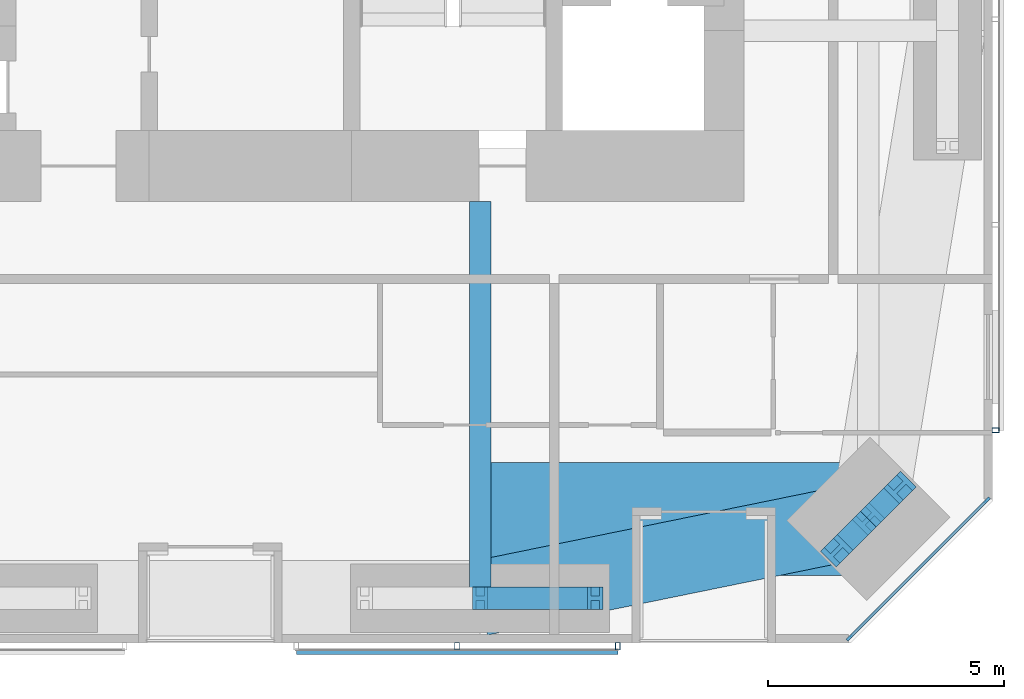
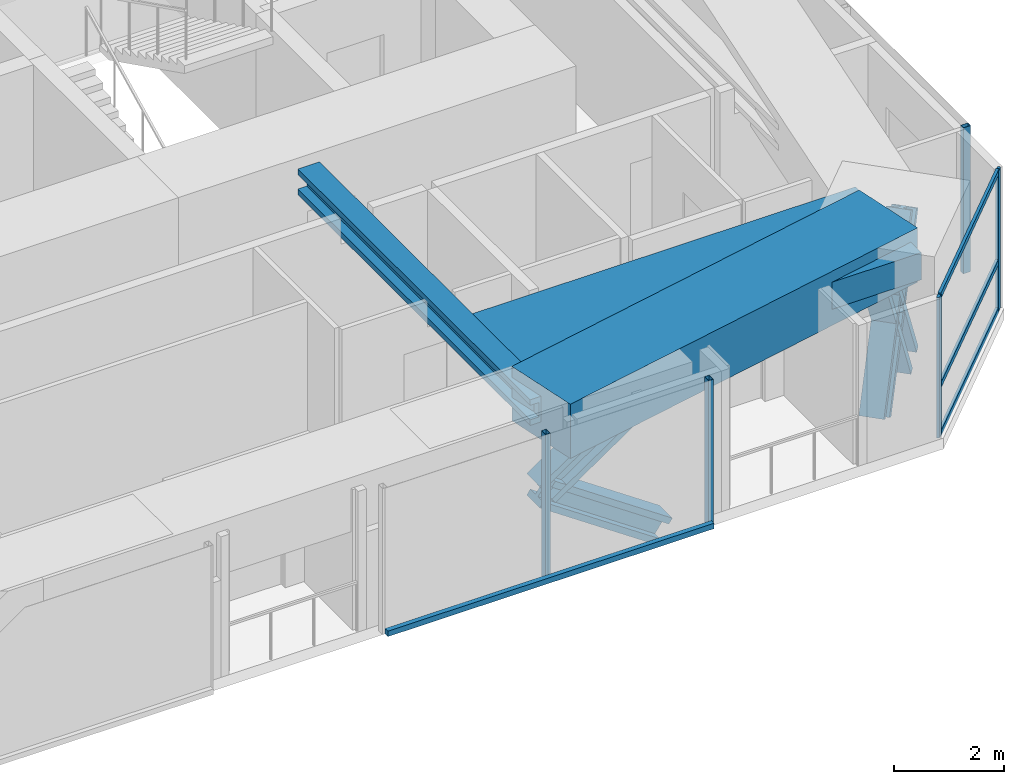
# One storey, part 8 of 24: 15 members, 3 beams, 3 elements without a shape of their own.
"""IFC4 building model written with IfcOpenShell, lengths in metres."""

from ifc_helpers import new_model, si_unit, direction, frame, origin, origin_2d, place, context, subcontext, project, spatial, rectangle, hollow_rectangle, i_section, extrude, material, material_profile, profile_set, type_object, element, aggregate, save


model = new_model("IFC4")

# Units and contexts
model_context = context("Model", 3, precision=1e-05, world=origin(), true_north=direction((0.0, 1.0)))
body_context = subcontext(model_context, "Body", "Model", "MODEL_VIEW")
ifc_project = project(units=[si_unit("LENGTHUNIT", "METRE"), si_unit("AREAUNIT", "SQUARE_METRE"), si_unit("VOLUMEUNIT", "CUBIC_METRE"), si_unit("PLANEANGLEUNIT", "RADIAN"), si_unit("MASSUNIT", "GRAM", prefix="KILO")], contexts=[model_context])

# Site, building, storey
site_placement = place(None, origin())
site = spatial("IfcSite", under=ifc_project, at=site_placement, CompositionType="ELEMENT")
building_placement = place(site_placement, origin())
building = spatial("IfcBuilding", under=site, at=building_placement, Name="Jalousie Tower", CompositionType="ELEMENT")
storey_placement = place(building_placement, frame((0.0, 0.0, 131.64990234375)))
storey = spatial("IfcBuildingStorey", under=building, at=storey_placement, Name="L36", CompositionType="ELEMENT", Elevation=131.64990234375)

# Curtain wall, members
ifc_material_1 = material(Name="Aluminium curtain wall", Category="aluminium")
curtain_wall_type_1 = type_object("IfcCurtainWallType", Name="CORNER WINDOW WALL", PredefinedType="USERDEFINED", material=ifc_material_1)
curtain_wall_1_placement = place(storey_placement, origin())
curtain_wall_1 = element("IfcCurtainWall", 1, at=curtain_wall_1_placement, inside=storey, type_object=curtain_wall_type_1, Name="Corner Window Wall L36 2", ObjectType="CORNER WINDOW WALL", PredefinedType="USERDEFINED")
ifc_material_2 = material(Name="Aluminium mullion", Category="aluminium")
ifc_material_profile_1 = material_profile(ifc_material_2, rectangle(XDim=0.06005859375, YDim=0.14990234375, at=origin_2d()), Name="MULLION 60x150")
ifc_profile_set_1 = profile_set([ifc_material_profile_1], Name="Aluminium mullion")
member_type_1 = type_object("IfcMemberType", Name="CORNER WINDOW WALL MULLION", PredefinedType="MULLION", material=ifc_profile_set_1)
member_1_placement = place(storey_placement, frame((46.469970703125, 0.108642578125, 0.0), z_axis=(0.0, 0.0, 1.0), x_axis=(-0.707106781187, 0.707106781187, 0.0)))
member_1 = element("IfcMember", 2, at=member_1_placement, type_object=member_type_1, Name="CW-C mullion 1", PredefinedType="MULLION", context=body_context, shape_type="SweptSolid", body=[
    extrude(rectangle(XDim=0.06005859375, YDim=0.14990234375, at=origin_2d()), origin(), (0.0, 0.0, 1.0), 3.110107421875),
])
member_2_placement = place(storey_placement, frame((49.391357421875, 3.030029296875, 0.0), z_axis=(0.0, 0.0, 1.0), x_axis=(-0.707106781187, 0.707106781187, 0.0)))
member_2 = element("IfcMember", 3, at=member_2_placement, type_object=member_type_1, Name="CW-C mullion 2", PredefinedType="MULLION", context=body_context, shape_type="SweptSolid", body=[
    extrude(rectangle(XDim=0.06005859375, YDim=0.14990234375, at=origin_2d()), origin(), (0.0, 0.0, 1.0), 3.110107421875),
])
ifc_material_3 = material(Name="Aluminium transom", Category="aluminium")
ifc_material_profile_2 = material_profile(ifc_material_3, rectangle(XDim=0.06005859375, YDim=0.1201171875, at=origin_2d()), Name="TRANSOM 60x120")
ifc_profile_set_2 = profile_set([ifc_material_profile_2], Name="Aluminium transom")
member_type_2 = type_object("IfcMemberType", Name="CORNER WINDOW WALL TRANSOM", PredefinedType="USERDEFINED", material=ifc_profile_set_2)
member_3_placement = place(storey_placement, frame((46.4912109375, 0.1298828125, 0.030029296875), z_axis=(0.707106781187, 0.707106781187, 0.0), x_axis=(-0.707106781187, 0.707106781187, 0.0)))
member_3 = element("IfcMember", 4, at=member_3_placement, type_object=member_type_2, Name="CW-C transom 1.1", ObjectType="TRANSOM", PredefinedType="USERDEFINED", context=body_context, shape_type="SweptSolid", body=[
    extrude(rectangle(XDim=0.06005859375, YDim=0.1201171875, at=origin_2d()), origin(), (0.0, 0.0, 1.0), 4.0712890625),
])
member_4_placement = place(storey_placement, frame((46.4912109375, 0.1298828125, 1.10009765625), z_axis=(0.707106781187, 0.707106781187, 0.0), x_axis=(-0.707106781187, 0.707106781187, 0.0)))
member_4 = element("IfcMember", 5, at=member_4_placement, type_object=member_type_2, Name="CW-C transom 1.2", ObjectType="TRANSOM", PredefinedType="USERDEFINED", context=body_context, shape_type="SweptSolid", body=[
    extrude(rectangle(XDim=0.06005859375, YDim=0.1201171875, at=origin_2d()), origin(), (0.0, 0.0, 1.0), 4.0712890625),
])
member_5_placement = place(storey_placement, frame((46.4912109375, 0.1298828125, 3.080078125), z_axis=(0.707106781187, 0.707106781187, 0.0), x_axis=(-0.707106781187, 0.707106781187, 0.0)))
member_5 = element("IfcMember", 6, at=member_5_placement, type_object=member_type_2, Name="CW-C transom 1.3", ObjectType="TRANSOM", PredefinedType="USERDEFINED", context=body_context, shape_type="SweptSolid", body=[
    extrude(rectangle(XDim=0.06005859375, YDim=0.1201171875, at=origin_2d()), origin(), (0.0, 0.0, 1.0), 4.0712890625),
])
aggregate(curtain_wall_1, [member_1, member_2, member_3, member_4, member_5])

# Beam
ifc_material_4 = material(Name="Steel ASTM A992 Grade 50", Category="steel")
ifc_material_profile_3 = material_profile(ifc_material_4, i_section(OverallWidth=0.45458984375, OverallDepth=0.569091796875, WebThickness=0.077880859375, FlangeThickness=0.124755859375, at=origin_2d()), Name="W14X730")
ifc_profile_set_3 = profile_set([ifc_material_profile_3], Name="Steel ASTM A992 Grade 50")
beam_type_1 = type_object("IfcBeamType", Name="LEAN COLLECTOR W14X730", PredefinedType="BEAM", material=ifc_profile_set_3)
beam_1_placement = place(storey_placement, frame((38.625, 0.949951171875, 2.82568359375), z_axis=(0.0, 1.0, 0.0), x_axis=(-1.0, 0.0, 0.0)))
element("IfcBeam", 7, at=beam_1_placement, inside=storey, type_object=beam_type_1, Name="Lean collector under L37", PredefinedType="BEAM", context=body_context, shape_type="SweptSolid", body=[
    extrude(i_section(OverallWidth=0.45458984375, OverallDepth=0.569091796875, WebThickness=0.077880859375, FlangeThickness=0.124755859375, at=origin_2d()), origin(), (0.0, 0.0, 1.0), 8.425048828125),
])

# Members
ifc_material_5 = material(Name="Steel ASTM A992 Grade 50", Category="steel")
ifc_material_profile_4 = material_profile(ifc_material_5, i_section(OverallWidth=0.472412109375, OverallDepth=0.5791015625, WebThickness=0.094970703125, FlangeThickness=0.1298828125, at=origin_2d()), Name="W14X808")
ifc_profile_set_4 = profile_set([ifc_material_profile_4], Name="Steel ASTM A992 Grade 50")
member_type_3 = type_object("IfcMemberType", Name="PERIMETER BRACE W14X808", PredefinedType="BRACE", material=ifc_profile_set_4)
for number, where, z_axis, x_axis, name in (
    (8, (38.625, 0.949951171875, 1.0751953125), (0.825539243753, 0.0, 0.564344714713), (0.0, 1.0, 0.0), "Perimeter brace 04 L36 part 2"),
    (9, (41.074951171875, 0.949951171875, -0.599853515625), (-0.825500916831, 0.0, 0.564400776321), (0.0, -1.0, 0.0), "Perimeter brace 04 L36 part 3"),
):
    element("IfcMember", number, at=place(storey_placement, frame(where, z_axis=z_axis, x_axis=x_axis)), inside=storey, type_object=member_type_3, Name=name, PredefinedType="BRACE", context=body_context, shape_type="SweptSolid", body=[
        extrude(i_section(OverallWidth=0.472412109375, OverallDepth=0.5791015625, WebThickness=0.094970703125, FlangeThickness=0.1298828125, at=origin_2d()), origin(), (0.0, 0.0, 1.0), 2.9677734375),
    ])
member_6_placement = place(storey_placement, frame((46.197021484375, 1.959716796875, -0.599853515625), z_axis=(0.348789058631, 0.348789058631, 0.869880672943), x_axis=(-0.707106781187, 0.707106781187, 0.0)))
element("IfcMember", 10, at=member_6_placement, inside=storey, type_object=member_type_3, Name="Perimeter brace 05 L36 part 1", PredefinedType="BRACE", context=body_context, shape_type="SweptSolid", body=[
    extrude(i_section(OverallWidth=0.472412109375, OverallDepth=0.5791015625, WebThickness=0.094970703125, FlangeThickness=0.1298828125, at=origin_2d()), origin(), (0.0, 0.0, 1.0), 1.925537109375),
])
member_7_placement = place(storey_placement, frame((46.86865234375, 2.63134765625, 1.0751953125), z_axis=(0.348827529765, 0.348827529765, 0.869849819771), x_axis=(-0.707106781187, 0.707106781187, 0.0)))
element("IfcMember", 11, at=member_7_placement, inside=storey, type_object=member_type_3, Name="Perimeter brace 05 L36 part 2", PredefinedType="BRACE", context=body_context, shape_type="SweptSolid", body=[
    extrude(i_section(OverallWidth=0.472412109375, OverallDepth=0.5791015625, WebThickness=0.094970703125, FlangeThickness=0.1298828125, at=origin_2d()), origin(), (0.0, 0.0, 1.0), 1.92529296875),
])
member_8_placement = place(storey_placement, frame((47.540283203125, 3.302978515625, -0.599853515625), z_axis=(-0.348789058631, -0.348789058631, 0.869880672943), x_axis=(0.707106781187, -0.707106781187, 0.0)))
element("IfcMember", 12, at=member_8_placement, inside=storey, type_object=member_type_3, Name="Perimeter brace 05 L36 part 3", PredefinedType="BRACE", context=body_context, shape_type="SweptSolid", body=[
    extrude(i_section(OverallWidth=0.472412109375, OverallDepth=0.5791015625, WebThickness=0.094970703125, FlangeThickness=0.1298828125, at=origin_2d()), origin(), (0.0, 0.0, 1.0), 1.925537109375),
])
member_9_placement = place(storey_placement, frame((46.86865234375, 2.63134765625, 1.0751953125), z_axis=(-0.348827529765, -0.348827529765, 0.869849819771), x_axis=(0.707106781187, -0.707106781187, 0.0)))
element("IfcMember", 13, at=member_9_placement, inside=storey, type_object=member_type_3, Name="Perimeter brace 05 L36 part 4", PredefinedType="BRACE", context=body_context, shape_type="SweptSolid", body=[
    extrude(i_section(OverallWidth=0.472412109375, OverallDepth=0.5791015625, WebThickness=0.094970703125, FlangeThickness=0.1298828125, at=origin_2d()), origin(), (0.0, 0.0, 1.0), 1.92529296875),
])

# Beams
ifc_material_6 = material(Name="Concrete f'c 40 MPa", Category="concrete")
ifc_material_profile_5 = material_profile(ifc_material_6, rectangle(XDim=1.60009765625, YDim=1.199951171875, at=origin_2d()), Name="RC 1600x1200")
ifc_profile_set_5 = profile_set([ifc_material_profile_5], Name="Concrete f'c 40 MPa")
beam_type_2 = type_object("IfcBeamType", Name="RC BEAM 1600x1200", PredefinedType="BEAM", material=ifc_profile_set_5)
beam_2_placement = place(storey_placement, frame((38.625, 0.949951171875, 2.75), z_axis=(0.97982690954, 0.199848010602, 0.0), x_axis=(-0.199848010602, 0.97982690954, 0.0)))
element("IfcBeam", 14, at=beam_2_placement, inside=storey, type_object=beam_type_2, Name="Edge band beam 04-05 under L37", PredefinedType="BEAM", context=body_context, shape_type="SweptSolid", body=[
    extrude(rectangle(XDim=1.60009765625, YDim=1.199951171875, at=origin_2d()), origin(), (0.0, 0.0, 1.0), 8.413330078125),
])
ifc_material_7 = material(Name="Concrete f'c 40 MPa", Category="concrete")
ifc_material_profile_6 = material_profile(ifc_material_7, rectangle(XDim=2.39990234375, YDim=0.60009765625, at=origin_2d()), Name="RC 2400x600")
ifc_profile_set_6 = profile_set([ifc_material_profile_6], Name="Concrete f'c 40 MPa")
beam_type_3 = type_object("IfcBeamType", Name="RC BEAM 2400x600", PredefinedType="BEAM", material=ifc_profile_set_6)
beam_3_placement = place(storey_placement, frame((46.86865234375, 2.63134765625, 2.81005859375), z_axis=(-1.0, 0.0, 0.0), x_axis=(0.0, -1.0, 0.0)))
element("IfcBeam", 15, at=beam_3_placement, inside=storey, type_object=beam_type_3, Name="Floor band beam under L37", PredefinedType="BEAM", context=body_context, shape_type="SweptSolid", body=[
    extrude(rectangle(XDim=2.39990234375, YDim=0.60009765625, at=origin_2d()), origin(), (0.0, 0.0, 1.0), 8.24365234375),
])

# Curtain wall, members
ifc_material_8 = material(Name="Perforated aluminium sheet", Category="aluminium")
curtain_wall_type_2 = type_object("IfcCurtainWallType", Name="SOLAR SCREEN SS-1", PredefinedType="USERDEFINED", material=ifc_material_8)
curtain_wall_2_placement = place(storey_placement, origin())
curtain_wall_2 = element("IfcCurtainWall", 16, at=curtain_wall_2_placement, inside=storey, type_object=curtain_wall_type_2, Name="Solar screen L36", ObjectType="SOLAR SCREEN SS-1", PredefinedType="USERDEFINED")
ifc_material_9 = material(Name="Steel ASTM A500 Grade C", Category="steel")
ifc_material_profile_7 = material_profile(ifc_material_9, hollow_rectangle(XDim=0.1015625, YDim=0.15234375, WallThickness=0.00634765625, at=origin_2d()), Name="HSS6X4X1/4")
ifc_profile_set_7 = profile_set([ifc_material_profile_7], Name="Steel ASTM A500 Grade C")
member_type_4 = type_object("IfcMemberType", Name="SOLAR SCREEN SS-1 MULLION", PredefinedType="MULLION", material=ifc_profile_set_7)
member_10_placement = place(storey_placement, frame((38.137451171875, -0.0712890625, -0.119873046875), z_axis=(0.0, 0.0, 1.0), x_axis=(1.0, 0.0, 0.0)))
member_10 = element("IfcMember", 17, at=member_10_placement, type_object=member_type_4, Name="SS1 post 2", PredefinedType="MULLION", context=body_context, shape_type="SweptSolid", body=[
    extrude(hollow_rectangle(XDim=0.1015625, YDim=0.15234375, WallThickness=0.00634765625, at=origin_2d()), origin(), (0.0, 0.0, 1.0), 3.22998046875),
])
member_11_placement = place(storey_placement, frame((41.550048828125, -0.0712890625, -0.119873046875), z_axis=(0.0, 0.0, 1.0), x_axis=(1.0, 0.0, 0.0)))
member_11 = element("IfcMember", 18, at=member_11_placement, type_object=member_type_4, Name="SS1 post 3", PredefinedType="MULLION", context=body_context, shape_type="SweptSolid", body=[
    extrude(hollow_rectangle(XDim=0.1015625, YDim=0.15234375, WallThickness=0.00634765625, at=origin_2d()), origin(), (0.0, 0.0, 1.0), 3.22998046875),
])

# Curtain wall, member
curtain_wall_3_placement = place(storey_placement, origin())
curtain_wall_3 = element("IfcCurtainWall", 19, at=curtain_wall_3_placement, inside=storey, type_object=curtain_wall_type_2, Name="Solar screen L36", ObjectType="SOLAR SCREEN SS-1", PredefinedType="USERDEFINED")
member_12_placement = place(storey_placement, frame((49.5712890625, 4.513916015625, -0.119873046875), z_axis=(0.0, 0.0, 1.0), x_axis=(0.0, 1.0, 0.0)))
member_12 = element("IfcMember", 20, at=member_12_placement, type_object=member_type_4, Name="SS1 post 1", PredefinedType="MULLION", context=body_context, shape_type="SweptSolid", body=[
    extrude(hollow_rectangle(XDim=0.1015625, YDim=0.15234375, WallThickness=0.00634765625, at=origin_2d()), origin(), (0.0, 0.0, 1.0), 3.22998046875),
])
aggregate(curtain_wall_3, [member_12])

# Member
ifc_material_10 = material(Name="Extruded aluminium screen rail", Category="aluminium")
ifc_material_profile_8 = material_profile(ifc_material_10, rectangle(XDim=0.1015625, YDim=0.1201171875, at=origin_2d()), Name="RAIL 102x120")
ifc_profile_set_8 = profile_set([ifc_material_profile_8], Name="Extruded aluminium screen rail")
member_type_5 = type_object("IfcMemberType", Name="SOLAR SCREEN SS-1 TRANSOM", PredefinedType="USERDEFINED", material=ifc_profile_set_8)
member_13_placement = place(storey_placement, frame((34.72509765625, -0.1982421875, -0.059814453125), z_axis=(1.0, 0.0, 0.0), x_axis=(0.0, 1.0, 0.0)))
member_13 = element("IfcMember", 21, at=member_13_placement, type_object=member_type_5, Name="SS1 rail", ObjectType="TRANSOM", PredefinedType="USERDEFINED", context=body_context, shape_type="SweptSolid", body=[
    extrude(rectangle(XDim=0.1015625, YDim=0.1201171875, at=origin_2d()), origin(), (0.0, 0.0, 1.0), 6.824951171875),
])

aggregate(curtain_wall_2, [member_10, member_11, member_13])

save(model, "model.ifc")
